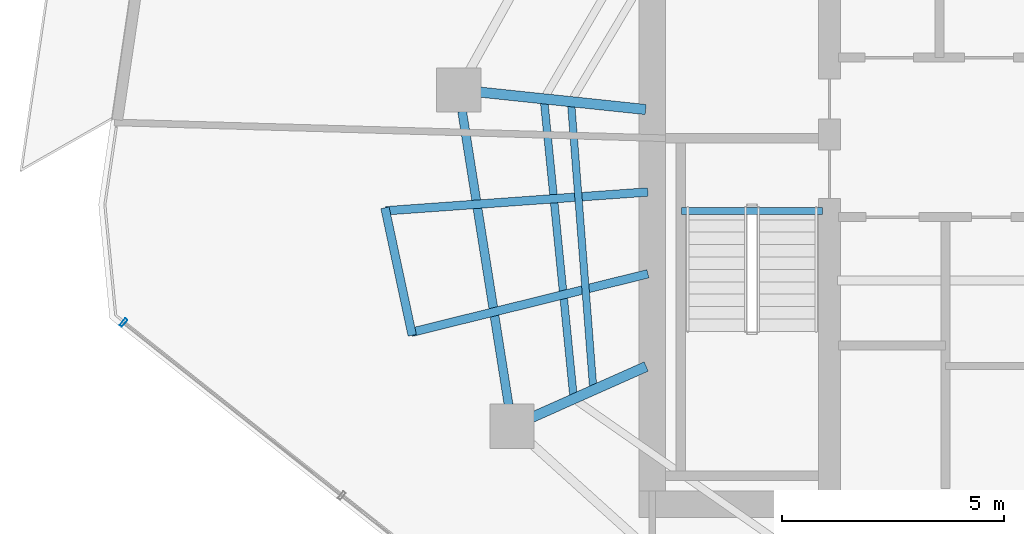
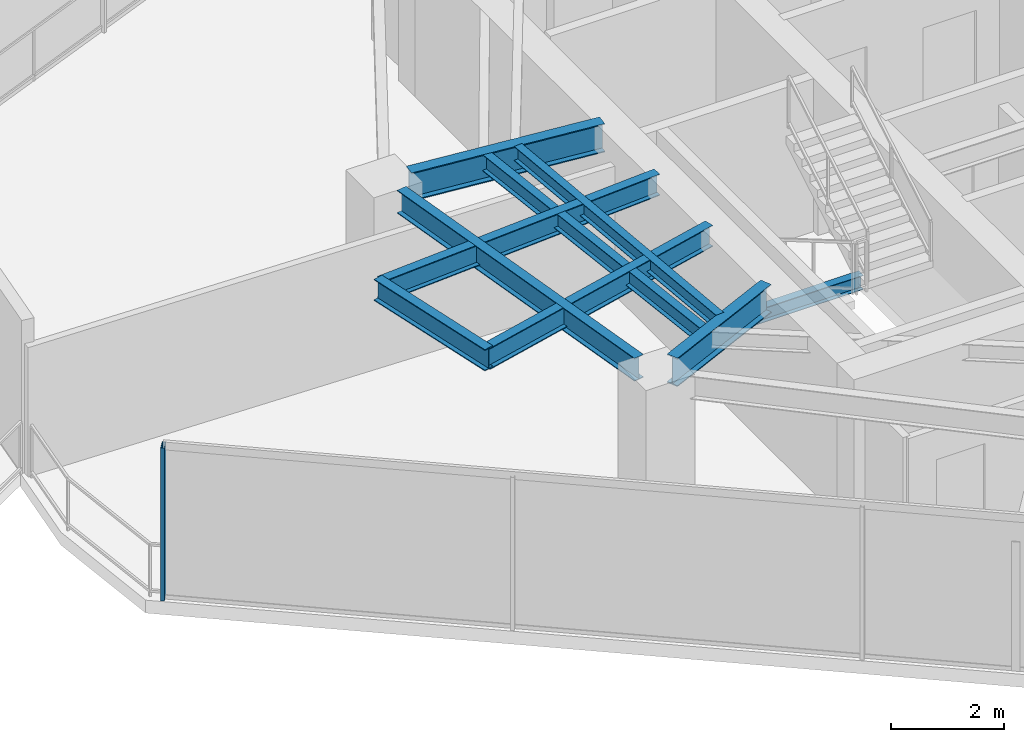
# One storey, part 5 of 20: 9 beams, 1 member, 1 element without a shape of its own.
"""IFC4 building model written with IfcOpenShell, lengths in metres."""

from ifc_helpers import new_model, si_unit, direction, frame, origin, origin_2d, place, context, subcontext, project, spatial, hollow_rectangle, i_section, extrude, material, layer, layer_set, material_profile, profile_set, type_object, element, aggregate, save


model = new_model("IFC4")

# Units and contexts
model_context = context("Model", 3, precision=1e-05, world=origin(), true_north=direction((0.0, 1.0)))
body_context = subcontext(model_context, "Body", "Model", "MODEL_VIEW")
ifc_project = project(units=[si_unit("LENGTHUNIT", "METRE"), si_unit("AREAUNIT", "SQUARE_METRE"), si_unit("VOLUMEUNIT", "CUBIC_METRE"), si_unit("PLANEANGLEUNIT", "RADIAN"), si_unit("MASSUNIT", "GRAM", prefix="KILO")], contexts=[model_context])

# Site, building, storey
site_placement = place(None, origin())
site = spatial("IfcSite", under=ifc_project, at=site_placement, CompositionType="ELEMENT")
building_placement = place(site_placement, origin())
building = spatial("IfcBuilding", under=site, at=building_placement, Name="Qarnah Convention Tower", CompositionType="ELEMENT")
storey_placement = place(building_placement, frame((0.0, 0.0, 147.300048828125)))
storey = spatial("IfcBuildingStorey", under=building, at=storey_placement, Name="L39", CompositionType="ELEMENT", Elevation=147.300048828125)

# Beams
ifc_material_1 = material(Name="Structural steel S355JR", Category="steel")
ifc_material_profile_1 = material_profile(ifc_material_1, i_section(OverallWidth=0.19189453125, OverallDepth=0.464111328125, WebThickness=0.010986328125, FlangeThickness=0.01806640625, at=origin_2d()), Name="W460X89")
ifc_profile_set_1 = profile_set([ifc_material_profile_1], Name="Structural steel S355JR")
beam_type_1 = type_object("IfcBeamType", Name="BM-CANT-W460A", PredefinedType="BEAM", material=ifc_profile_set_1)
beam_1_placement = place(storey_placement, frame((26.699951171875, 25.64794921875, 3.087890625), z_axis=(-0.997431478283, -0.071627132639, 0.0), x_axis=(0.071627132639, -0.997431478283, 0.0)))
element("IfcBeam", 1, at=beam_1_placement, inside=storey, type_object=beam_type_1, Name="L39 beam BM-L39-CNT-02-1", PredefinedType="BEAM", context=body_context, shape_type="SweptSolid", body=[
    extrude(i_section(OverallWidth=0.19189453125, OverallDepth=0.464111328125, WebThickness=0.010986328125, FlangeThickness=0.01806640625, at=origin_2d()), origin(), (0.0, 0.0, 1.0), 5.93408203125),
])
beam_2_placement = place(storey_placement, frame((26.702880859375, 23.802001953125, 3.087890625), z_axis=(-0.970704086067, -0.240278124872, 0.0), x_axis=(0.240278124872, -0.970704086067, 0.0)))
element("IfcBeam", 2, at=beam_2_placement, inside=storey, type_object=beam_type_1, Name="L39 beam BM-L39-CNT-02-2", PredefinedType="BEAM", context=body_context, shape_type="SweptSolid", body=[
    extrude(i_section(OverallWidth=0.19189453125, OverallDepth=0.464111328125, WebThickness=0.010986328125, FlangeThickness=0.01806640625, at=origin_2d()), origin(), (0.0, 0.0, 1.0), 5.498046875),
])
beam_3_placement = place(storey_placement, frame((20.76611328125, 25.291015625, 3.087890625), z_axis=(0.208973836363, -0.977921231857, 0.0), x_axis=(0.977921231857, 0.208973836363, 0.0)))
element("IfcBeam", 3, at=beam_3_placement, inside=storey, type_object=beam_type_1, Name="L39 spandrel BM-L39-CTIE-02", PredefinedType="SPANDREL", context=body_context, shape_type="SweptSolid", body=[
    extrude(i_section(OverallWidth=0.19189453125, OverallDepth=0.464111328125, WebThickness=0.010986328125, FlangeThickness=0.01806640625, at=origin_2d()), origin(), (0.0, 0.0, 1.0), 2.94287109375),
])
ifc_material_profile_2 = material_profile(ifc_material_1, i_section(OverallWidth=0.166015625, OverallDepth=0.31201171875, WebThickness=0.007080078125, FlangeThickness=0.010986328125, at=origin_2d()), Name="W310X45")
ifc_profile_set_2 = profile_set([ifc_material_profile_2], Name="Structural steel S355JR")
beam_type_2 = type_object("IfcBeamType", Name="BM-JST-W310", PredefinedType="JOIST", material=ifc_profile_set_2)
beam_4_placement = place(storey_placement, frame((27.4599609375, 25.217041015625, -0.156005859375), z_axis=(1.0, 0.0, 0.0), x_axis=(0.0, 1.0, 0.0)))
element("IfcBeam", 4, at=beam_4_placement, inside=storey, type_object=beam_type_2, Name="L39 stair landing trimmer beam BM-L39-ST1-TRM", PredefinedType="BEAM", context=body_context, shape_type="SweptSolid", body=[
    extrude(i_section(OverallWidth=0.166015625, OverallDepth=0.31201171875, WebThickness=0.007080078125, FlangeThickness=0.010986328125, at=origin_2d()), origin(), (0.0, 0.0, 1.0), 3.179931640625),
])
beam_5_placement = place(storey_placement, frame((24.971923828125, 27.595947265625, 3.1640625), z_axis=(0.07735538429, -0.997003583003, 0.0), x_axis=(0.997003583003, 0.07735538429, 0.0)))
element("IfcBeam", 5, at=beam_5_placement, inside=storey, type_object=beam_type_2, Name="L39 joist BM-L39-IJST-05", PredefinedType="JOIST", context=body_context, shape_type="SweptSolid", body=[
    extrude(i_section(OverallWidth=0.166015625, OverallDepth=0.31201171875, WebThickness=0.007080078125, FlangeThickness=0.010986328125, at=origin_2d()), origin(), (0.0, 0.0, 1.0), 6.346923828125),
])
ifc_material_profile_3 = material_profile(ifc_material_1, i_section(OverallWidth=0.172119140625, OverallDepth=0.35595703125, WebThickness=0.007080078125, FlangeThickness=0.011962890625, at=origin_2d()), Name="W360X51")
ifc_profile_set_3 = profile_set([ifc_material_profile_3], Name="Structural steel S355JR")
beam_type_3 = type_object("IfcBeamType", Name="BM-JST-W360", PredefinedType="JOIST", material=ifc_profile_set_3)
beam_6_placement = place(storey_placement, frame((24.362060546875, 27.659912109375, 3.141845703125), z_axis=(0.099058399416, -0.995081621529, 0.0), x_axis=(0.995081621529, 0.099058399416, 0.0)))
element("IfcBeam", 6, at=beam_6_placement, inside=storey, type_object=beam_type_3, Name="L39 joist BM-L39-SJST-05", PredefinedType="JOIST", context=body_context, shape_type="SweptSolid", body=[
    extrude(i_section(OverallWidth=0.172119140625, OverallDepth=0.35595703125, WebThickness=0.007080078125, FlangeThickness=0.011962890625, at=origin_2d()), origin(), (0.0, 0.0, 1.0), 6.622314453125),
])
ifc_material_profile_4 = material_profile(ifc_material_1, i_section(OverallWidth=0.22998046875, OverallDepth=0.617919921875, WebThickness=0.012939453125, FlangeThickness=0.02197265625, at=origin_2d()), Name="W610X140")
ifc_profile_set_4 = profile_set([ifc_material_profile_4], Name="Structural steel S355JR")
beam_type_4 = type_object("IfcBeamType", Name="BM-RAD-W610A", PredefinedType="BEAM", material=ifc_profile_set_4)
beam_7_placement = place(storey_placement, frame((26.65087890625, 27.509033203125, 3.010986328125), z_axis=(-0.994531015982, 0.104441649973, 0.0), x_axis=(-0.104441649973, -0.994531015982, 0.0)))
element("IfcBeam", 7, at=beam_7_placement, inside=storey, type_object=beam_type_4, Name="L39 beam BM-L39-RAD-05", PredefinedType="BEAM", context=body_context, shape_type="SweptSolid", body=[
    extrude(i_section(OverallWidth=0.22998046875, OverallDepth=0.617919921875, WebThickness=0.012939453125, FlangeThickness=0.02197265625, at=origin_2d()), origin(), (0.0, 0.0, 1.0), 3.763427734375),
])
beam_8_placement = place(storey_placement, frame((26.6630859375, 21.708984375, 3.010986328125), z_axis=(-0.913488265638, -0.406865074123, 0.0), x_axis=(0.406865074123, -0.913488265638, 0.0)))
element("IfcBeam", 8, at=beam_8_placement, inside=storey, type_object=beam_type_4, Name="L39 beam BM-L39-RAD-06", PredefinedType="BEAM", context=body_context, shape_type="SweptSolid", body=[
    extrude(i_section(OverallWidth=0.22998046875, OverallDepth=0.617919921875, WebThickness=0.012939453125, FlangeThickness=0.02197265625, at=origin_2d()), origin(), (0.0, 0.0, 1.0), 2.83642578125),
])
ifc_material_profile_5 = material_profile(ifc_material_1, i_section(OverallWidth=0.199951171875, OverallDepth=0.5, WebThickness=0.010009765625, FlangeThickness=0.01611328125, at=origin_2d()), Name="IPE500")
ifc_profile_set_5 = profile_set([ifc_material_profile_5], Name="Structural steel S355JR")
beam_type_5 = type_object("IfcBeamType", Name="BM-SPN-IPE500", PredefinedType="SPANDREL", material=ifc_profile_set_5)
beam_9_placement = place(storey_placement, frame((22.508056640625, 27.468017578125, 3.070068359375), z_axis=(0.156388773261, -0.987695576379, 0.0), x_axis=(0.987695576379, 0.156388773261, 0.0)))
element("IfcBeam", 9, at=beam_9_placement, inside=storey, type_object=beam_type_5, Name="L39 spandrel BM-L39-SPN-05", PredefinedType="SPANDREL", context=body_context, shape_type="SweptSolid", body=[
    extrude(i_section(OverallWidth=0.199951171875, OverallDepth=0.5, WebThickness=0.010009765625, FlangeThickness=0.01611328125, at=origin_2d()), origin(), (0.0, 0.0, 1.0), 6.70654296875),
])

# Curtain wall, member
ifc_material_2 = material(Name="Tempered Low-E dark glass", Category="glass")
ifc_layer = layer(ifc_material_2, 0.172119140625)
ifc_layer_set = layer_set([ifc_layer], Name="Tempered Low-E dark glass")
curtain_wall_type = type_object("IfcCurtainWallType", Name="CWS-03", PredefinedType="NOTDEFINED", material=ifc_layer_set)
curtain_wall_placement = place(storey_placement, origin())
curtain_wall = element("IfcCurtainWall", 10, at=curtain_wall_placement, inside=storey, type_object=curtain_wall_type, Name="L39 unitised curtain wall CW-L39-F2", PredefinedType="NOTDEFINED")
ifc_material_3 = material(Name="Black anodised aluminium", Category="aluminium")
ifc_material_profile_6 = material_profile(ifc_material_3, hollow_rectangle(XDim=0.070068359375, YDim=0.199951171875, WallThickness=0.0048828125, at=origin_2d()), Name="MUL-70X200")
ifc_profile_set_6 = profile_set([ifc_material_profile_6], Name="Black anodised aluminium")
member_type = type_object("IfcMemberType", Name="MUL-T3", PredefinedType="MULLION", material=ifc_profile_set_6)
member_placement = place(storey_placement, frame((14.864990234375, 22.700927734375, 0.0), z_axis=(0.0, 0.0, 1.0), x_axis=(-0.783688882371, 0.621153552391, 0.0)))
member = element("IfcMember", 11, at=member_placement, type_object=member_type, Name="CW-L39-F2 mullion 6", PredefinedType="MULLION", context=body_context, shape_type="SweptSolid", body=[
    extrude(hollow_rectangle(XDim=0.070068359375, YDim=0.199951171875, WallThickness=0.0048828125, at=origin_2d()), origin(), (0.0, 0.0, 1.0), 3.320068359375),
])
aggregate(curtain_wall, [member])

save(model, "model.ifc")
